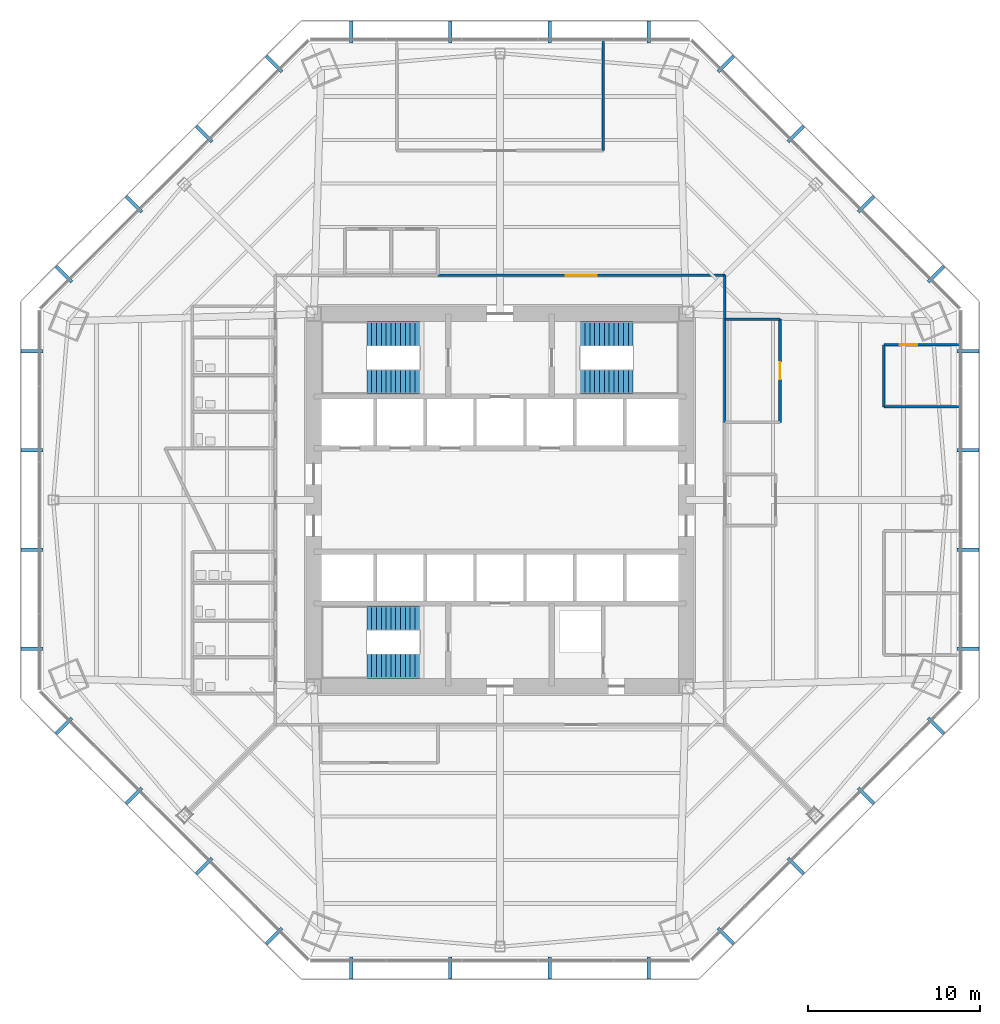
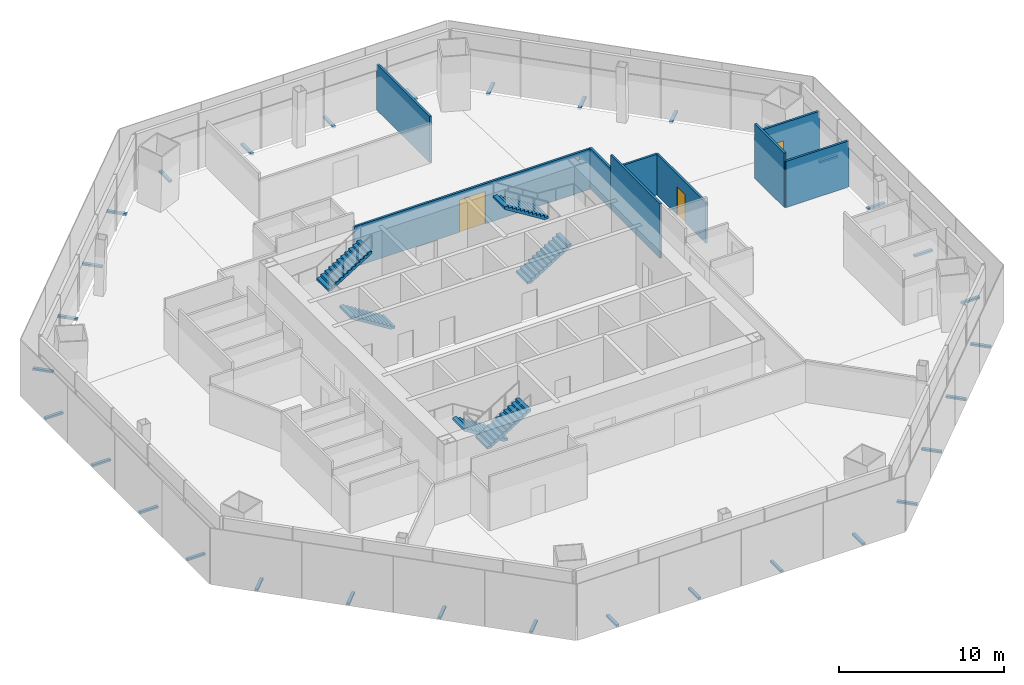
# One storey, part 10 of 13: 32 discrete accessories, 9 walls, 6 stair flights, 3 doors, 3 openings, 3 elements without a shape of their own.
"""IFC4 building model written with IfcOpenShell, lengths in metres."""

import ifcopenshell
import ifcopenshell.guid

model = None  # the IFC model being written
_history = None  # IfcOwnerHistory: only IFC2X3 demands one
_inside = {}  # id of a spatial element -> (the spatial element, [elements in it])
_under = {}  # id of a project, library or spatial element -> (it, [spatial elements below it])
_declared = {}  # id of a project -> (the project, [libraries it declares])
_typed = {}  # id of a type object -> (the type object, [elements of that type])
_made_of = {}  # id of a material, layer set ... -> (it, [elements and type objects made of it])


def new_model(schema):
    """Start an empty IFC model of exactly this schema.

    Asked for "IFC4X3", IfcOpenShell would pick the latest addendum, in which some entities
    have other attributes; the version numbers below select the first issue.
    IFC2X3 requires an IfcOwnerHistory on every rooted entity: one is made here for all.
    """
    global model, _history
    if schema == "IFC4X3":
        model = ifcopenshell.file(schema_version=(4, 3, 0, 0))
    else:
        model = ifcopenshell.file(schema=schema)
    _inside.clear()
    _under.clear()
    _declared.clear()
    _typed.clear()
    _made_of.clear()
    _history = None
    if model.schema == "IFC2X3":
        org = make("IfcOrganization", Name="unknown")
        user = make(
            "IfcPersonAndOrganization",
            ThePerson=make("IfcPerson", FamilyName="unknown"),
            TheOrganization=org,
        )
        app = make(
            "IfcApplication",
            ApplicationDeveloper=org,
            Version="unknown",
            ApplicationFullName="unknown",
            ApplicationIdentifier="unknown",
        )
        _history = make(
            "IfcOwnerHistory",
            OwningUser=user,
            OwningApplication=app,
            ChangeAction="ADDED",
            CreationDate=0,
        )
    return model


def make(cls, **values):
    """One entity of the class cls with the attributes given. An attribute that is None is left unset."""
    return model.create_entity(
        cls, **{name: value for name, value in values.items() if value is not None}
    )


def rooted(cls, **values):
    """An entity with a GlobalId (a new one), such as an element, a storey or a relation."""
    return make(cls, GlobalId=ifcopenshell.guid.new(), OwnerHistory=_history, **values)


def si_unit(unit_type, name, prefix=None):
    """IfcSIUnit, for example si_unit("LENGTHUNIT", "METRE", prefix="MILLI")."""
    return make("IfcSIUnit", UnitType=unit_type, Prefix=prefix, Name=name)


def assignment(units):
    """IfcUnitAssignment: the units of a project."""
    return None if units is None else make("IfcUnitAssignment", Units=units)


def point(xyz):
    """IfcCartesianPoint."""
    return None if xyz is None else make("IfcCartesianPoint", Coordinates=xyz)


def direction(xyz):
    """IfcDirection."""
    return None if xyz is None else make("IfcDirection", DirectionRatios=xyz)


def frame(location, z_axis=None, x_axis=None):
    """IfcAxis2Placement3D, a coordinate frame: its origin and axes. An axis left out is left unset."""
    return make(
        "IfcAxis2Placement3D",
        Location=point(location),
        Axis=direction(z_axis),
        RefDirection=direction(x_axis),
    )


def frame_2d(location, x_axis=None):
    """IfcAxis2Placement2D, a coordinate frame in the plane: its origin and x axis."""
    return make(
        "IfcAxis2Placement2D", Location=point(location), RefDirection=direction(x_axis)
    )


def origin():
    """The frame at (0, 0, 0) with its axes left unset."""
    return frame((0.0, 0.0, 0.0))


def origin_2d():
    """The frame at (0, 0) in the plane with its x axis left unset."""
    return frame_2d((0.0, 0.0))


def place(relative_to, where):
    """IfcLocalPlacement: puts the frame where relative to a parent placement (None: the world)."""
    return make(
        "IfcLocalPlacement", PlacementRelTo=relative_to, RelativePlacement=where
    )


def context(
    kind, dimensions, precision=None, world=None, true_north=None, identifier=None
):
    """IfcGeometricRepresentationContext, for example the 3D "Model" context."""
    return make(
        "IfcGeometricRepresentationContext",
        ContextIdentifier=identifier,
        ContextType=kind,
        CoordinateSpaceDimension=dimensions,
        Precision=precision,
        WorldCoordinateSystem=world,
        TrueNorth=true_north,
    )


def subcontext(parent, identifier, kind, view, scale=None):
    """IfcGeometricRepresentationSubContext, for example "Body" below "Model"."""
    return make(
        "IfcGeometricRepresentationSubContext",
        ContextIdentifier=identifier,
        ContextType=kind,
        ParentContext=parent,
        TargetScale=scale,
        TargetView=view,
    )


def project(units=None, contexts=None):
    """IfcProject with its units and contexts."""
    return rooted(
        "IfcProject",
        Name="project",
        RepresentationContexts=contexts,
        UnitsInContext=assignment(units),
    )


def spatial(cls, under=None, at=None, **own):
    """A site, building, storey or space (cls), placed at a placement, below another one or the project."""
    s = rooted(cls, ObjectPlacement=at, **own)
    if under is not None:
        _under.setdefault(under.id(), (under, []))[1].append(s)
    return s


def polyline(points):
    """IfcPolyline through the points."""
    return make("IfcPolyline", Points=[point(p) for p in points])


def profile(cls, at=None, kind="AREA", **sizes):
    """A parametric profile (cls). Its sizes go by their IFC names, for example OverallWidth=200.0."""
    return make(cls, ProfileType=kind, Position=at, **sizes)


def rectangle(**sizes):
    """IfcRectangleProfileDef."""
    return profile("IfcRectangleProfileDef", **sizes)


def outline(outer, holes=None, kind="AREA"):
    """IfcArbitraryClosedProfileDef: a profile drawn as a closed curve; with holes, ...WithVoids."""
    if holes is None:
        return make("IfcArbitraryClosedProfileDef", ProfileType=kind, OuterCurve=outer)
    return make(
        "IfcArbitraryProfileDefWithVoids",
        ProfileType=kind,
        OuterCurve=outer,
        InnerCurves=holes,
    )


def extrude(swept, where, along, depth):
    """IfcExtrudedAreaSolid: the profile swept, set in the frame where, extruded along a direction by depth."""
    return make(
        "IfcExtrudedAreaSolid",
        SweptArea=swept,
        Position=where,
        ExtrudedDirection=direction(along),
        Depth=depth,
    )


def shape(context_of_items, identifier, shape_type, items):
    """IfcShapeRepresentation: the items that make up one representation, for example the "Body"."""
    return make(
        "IfcShapeRepresentation",
        ContextOfItems=context_of_items,
        RepresentationIdentifier=identifier,
        RepresentationType=shape_type,
        Items=items,
    )


def source(mapping_origin, context_of_items, identifier, shape_type, items):
    """IfcRepresentationMap: a shape defined once, which mapped items show again and again."""
    return make(
        "IfcRepresentationMap",
        MappingOrigin=mapping_origin,
        MappedRepresentation=shape(context_of_items, identifier, shape_type, items),
    )


def transform(
    local_origin,
    x_axis=None,
    y_axis=None,
    z_axis=None,
    scale=None,
    scale2=None,
    scale3=None,
    uniform=True,
):
    """IfcCartesianTransformationOperator3D, or its non-uniform kind. x_axis, y_axis, z_axis: its Axis1, 2, 3."""
    if uniform:
        return make(
            "IfcCartesianTransformationOperator3D",
            Axis1=direction(x_axis),
            Axis2=direction(y_axis),
            LocalOrigin=point(local_origin),
            Scale=scale,
            Axis3=direction(z_axis),
        )
    return make(
        "IfcCartesianTransformationOperator3DnonUniform",
        Axis1=direction(x_axis),
        Axis2=direction(y_axis),
        LocalOrigin=point(local_origin),
        Scale=scale,
        Axis3=direction(z_axis),
        Scale2=scale2,
        Scale3=scale3,
    )


def mapped(mapping_source, mapping_target):
    """IfcMappedItem: shows the shape of a source again, moved by a transform."""
    return make(
        "IfcMappedItem", MappingSource=mapping_source, MappingTarget=mapping_target
    )


def material(Name=None, Category=None):
    """IfcMaterial."""
    return make("IfcMaterial", Name=Name, Category=Category)


def layer(
    of_material, thickness, ventilated=None, Name=None, Category=None, Priority=None
):
    """IfcMaterialLayer: one layer of a wall or slab, of a material (None: an air gap)."""
    return make(
        "IfcMaterialLayer",
        Material=of_material,
        LayerThickness=thickness,
        IsVentilated=ventilated,
        Name=Name,
        Category=Category,
        Priority=Priority,
    )


def layer_set(layers, Name=None):
    """IfcMaterialLayerSet."""
    return make("IfcMaterialLayerSet", MaterialLayers=layers, LayerSetName=Name)


def made_of(thing, what):
    """Note that an element or type object is made of a material, layer set ...; save() writes the relation."""
    if what is not None:
        _made_of.setdefault(what.id(), (what, []))[1].append(thing)
    return thing


def type_object(cls, material=None, **own):
    """A type object (cls), such as IfcWallType, which elements share."""
    return made_of(rooted(cls, **own), material)


def type_shapes(of_type, sources):
    """Give a type object the sources (RepresentationMaps) that its elements show as mapped items."""
    of_type.RepresentationMaps = sources


def element(
    cls,
    number,
    at=None,
    inside=None,
    cuts=None,
    type_object=None,
    material=None,
    context=None,
    identifier="Body",
    shape_type=None,
    held_by="IfcProductDefinitionShape",
    body=None,
    shapes=None,
    **own,
):
    """One element of the class cls, such as IfcWall. Its Tag is "e" and its number.

    at: its placement. inside: the storey or other place that contains it. cuts: it is an
    opening in that element (IfcRelVoidsElement). A single representation is given by context,
    identifier, shape_type and body (its items); several are given by shapes. held_by: the class
    of the entity that holds the representations. save() writes the other relations.
    """
    e = rooted(cls, Tag="e%d" % number, ObjectPlacement=at, **own)
    if body is not None:
        shapes = [shape(context, identifier, shape_type, body)]
    if shapes is not None:
        e.Representation = make(held_by, Representations=shapes)
    if inside is not None:
        _inside.setdefault(inside.id(), (inside, []))[1].append(e)
    if cuts is not None:
        rooted(
            "IfcRelVoidsElement", RelatingBuildingElement=cuts, RelatedOpeningElement=e
        )
    if type_object is not None:
        _typed.setdefault(type_object.id(), (type_object, []))[1].append(e)
    return made_of(e, material)


def fill(opening, filler):
    """IfcRelFillsElement: the door or window that sits in an opening."""
    return rooted(
        "IfcRelFillsElement",
        RelatingOpeningElement=opening,
        RelatedBuildingElement=filler,
    )


def aggregate(whole, parts):
    """IfcRelAggregates: a whole, such as a stair, and the parts it consists of."""
    return rooted("IfcRelAggregates", RelatingObject=whole, RelatedObjects=parts)


def save(model, path):
    """Write the relations noted so far, then the file.

    IfcRelAggregates (storeys below a building ...), IfcRelContainedInSpatialStructure (elements
    in a storey), IfcRelDefinesByType, IfcRelAssociatesMaterial and IfcRelDeclares: one each for
    every whole, place, type object, material and project.
    """
    for whole, parts in _under.values():
        aggregate(whole, parts)
    for where, things in _inside.values():
        rooted(
            "IfcRelContainedInSpatialStructure",
            RelatedElements=things,
            RelatingStructure=where,
        )
    for kind, things in _typed.values():
        rooted("IfcRelDefinesByType", RelatedObjects=things, RelatingType=kind)
    for what, things in _made_of.values():
        rooted("IfcRelAssociatesMaterial", RelatedObjects=things, RelatingMaterial=what)
    for by, libraries in _declared.values():
        rooted("IfcRelDeclares", RelatingContext=by, RelatedDefinitions=libraries)
    model.write(path)


model = new_model("IFC4")

# Units and contexts
model_context = context("Model", 3, precision=1e-05, world=origin(), true_north=direction((0.0, 1.0)))
body_context = subcontext(model_context, "Body", "Model", "MODEL_VIEW")
ifc_project = project(units=[si_unit("LENGTHUNIT", "METRE"), si_unit("AREAUNIT", "SQUARE_METRE"), si_unit("VOLUMEUNIT", "CUBIC_METRE"), si_unit("PLANEANGLEUNIT", "RADIAN"), si_unit("MASSUNIT", "GRAM", prefix="KILO")], contexts=[model_context])

# Site, building, storey
site_placement = place(None, origin())
site = spatial("IfcSite", under=ifc_project, at=site_placement, CompositionType="ELEMENT")
building_placement = place(site_placement, origin())
building = spatial("IfcBuilding", under=site, at=building_placement, Name="Mashrafa Tower", CompositionType="ELEMENT")
storey_placement = place(building_placement, frame((0.0, 0.0, 45.60009765625)))
storey = spatial("IfcBuildingStorey", under=building, at=storey_placement, Name="L09", CompositionType="ELEMENT", Elevation=45.60009765625)

# Walls
ifc_material_1 = material(Name="Gypsum board on steel studs", Category="steel")
ifc_layer_1 = layer(ifc_material_1, 0.14990234375)
ifc_layer_set_1 = layer_set([ifc_layer_1], Name="Corridor partition 150 1 hr")
wall_type_1 = type_object("IfcWallType", Name="Corridor partition 150 1 hr", PredefinedType="PARTITIONING", material=ifc_layer_set_1)
wall_1_placement = place(storey_placement, frame((13.050048828125, 4.4990234375, 0.0), z_axis=(0.0, 0.0, 1.0), x_axis=(0.0, 1.0, 0.0)))
element("IfcWall", 1, at=wall_1_placement, inside=storey, type_object=wall_type_1, Name="Corridor wall L09-011", PredefinedType="PARTITIONING", context=body_context, shape_type="SweptSolid", body=[
    extrude(rectangle(XDim=6.001953125, YDim=0.14990234375, at=frame_2d((3.0009765625, 0.0))), origin(), (0.0, 0.0, 1.0), 4.034912109375),
])
wall_2_placement = place(storey_placement, frame((13.050048828125, 10.4990234375, 0.0), z_axis=(0.0, 0.0, 1.0), x_axis=(0.0, 1.0, 0.0)))
element("IfcWall", 2, at=wall_2_placement, inside=storey, type_object=wall_type_1, Name="Corridor wall L09-018", PredefinedType="PARTITIONING", context=body_context, shape_type="SweptSolid", body=[
    extrude(rectangle(XDim=2.551025390625, YDim=0.14990234375, at=frame_2d((1.275390625, 0.0))), origin(), (0.0, 0.0, 1.0), 3.013916015625),
])

# Wall, opening, door
wall_3_placement = place(storey_placement, frame((13.050048828125, 13.050048828125, 0.0), z_axis=(0.0, 0.0, 1.0), x_axis=(-1.0, 0.0, 0.0)))
wall_3 = element("IfcWall", 3, at=wall_3_placement, inside=storey, type_object=wall_type_1, Name="Corridor wall L09-019", PredefinedType="PARTITIONING", context=body_context, shape_type="SweptSolid", body=[
    extrude(rectangle(XDim=16.651123046875, YDim=0.14990234375, at=frame_2d((8.32568359375, 0.0))), origin(), (0.0, 0.0, 1.0), 2.9833984375),
])
opening_1_placement = place(wall_3_placement, frame((7.425537109375, 0.0, 0.0)))
opening_1 = element("IfcOpeningElement", 4, at=opening_1_placement, cuts=wall_3, Name="Opening 09.020", PredefinedType="OPENING", context=body_context, shape_type="SweptSolid", body=[
    extrude(rectangle(XDim=1.800048828125, YDim=2.39990234375, at=frame_2d((0.89990234375, 1.199951171875))), frame((0.0, 0.0849609375, 0.0), z_axis=(0.0, -1.0, 0.0), x_axis=(1.0, 0.0, 0.0)), (0.0, 0.0, 1.0), 0.169921875),
])
ifc_material_2 = material(Name="Timber door", Category="wood")
door_type_1 = type_object("IfcDoorType", Name="Door pair 1800 x 2400", OperationType="DOUBLE_DOOR_SINGLE_SWING", PredefinedType="DOOR", material=ifc_material_2)
door_1_placement = place(opening_1_placement, origin())
door_1 = element("IfcDoor", 5, at=door_1_placement, inside=storey, type_object=door_type_1, Name="Trading Floor 09 door", OperationType="DOUBLE_DOOR_SINGLE_SWING", OverallHeight=2.39990234375, OverallWidth=1.800048828125, PredefinedType="DOOR", context=body_context, shape_type="SweptSolid", body=[
    extrude(rectangle(XDim=1.800048828125, YDim=2.39990234375, at=frame_2d((0.89990234375, 1.199951171875))), frame((0.0, 0.02490234375, 0.0), z_axis=(0.0, -1.0, 0.0), x_axis=(1.0, 0.0, 0.0)), (0.0, 0.0, 1.0), 0.050048828125),
])
fill(opening_1, door_1)

ifc_material_3 = material(Name="Gypsum board on steel studs", Category="steel")
ifc_layer_2 = layer(ifc_material_3, 0.14990234375)
ifc_layer_set_2 = layer_set([ifc_layer_2], Name="Partition 150")
wall_type_2 = type_object("IfcWallType", Name="Partition 150", PredefinedType="PARTITIONING", material=ifc_layer_set_2)
wall_4_placement = place(storey_placement, frame((26.708740234375, 9.0, 0.0), z_axis=(0.0, 0.0, 1.0), x_axis=(-1.0, 0.0, 0.0)))
wall_4 = element("IfcWall", 6, at=wall_4_placement, inside=storey, type_object=wall_type_2, Name="Partition wall L09-050", PredefinedType="PARTITIONING", context=body_context, shape_type="SweptSolid", body=[
    extrude(rectangle(XDim=4.433837890625, YDim=0.14990234375, at=frame_2d((2.216796875, 0.0))), origin(), (0.0, 0.0, 1.0), 3.4228515625),
])
opening_2_placement = place(wall_4_placement, frame((2.4990234375, 0.0, 0.0)))
opening_2 = element("IfcOpeningElement", 7, at=opening_2_placement, cuts=wall_4, Name="Opening 09.012", PredefinedType="OPENING", context=body_context, shape_type="SweptSolid", body=[
    extrude(rectangle(XDim=1.0, YDim=2.10009765625, at=frame_2d((0.5, 1.050048828125))), frame((0.0, 0.0849609375, 0.0), z_axis=(0.0, -1.0, 0.0), x_axis=(1.0, 0.0, 0.0)), (0.0, 0.0, 1.0), 0.169921875),
])
ifc_material_4 = material(Name="Timber door", Category="wood")
door_type_2 = type_object("IfcDoorType", Name="Door 1000 x 2100", OperationType="USERDEFINED", PredefinedType="DOOR", material=ifc_material_4)
door_2_placement = place(opening_2_placement, origin())
door_2 = element("IfcDoor", 8, at=door_2_placement, inside=storey, type_object=door_type_2, Name="Meeting Room 09-3 door", OperationType="SINGLE_SWING_RIGHT", OverallHeight=2.10009765625, OverallWidth=1.0, PredefinedType="DOOR", context=body_context, shape_type="SweptSolid", body=[
    extrude(rectangle(XDim=1.0, YDim=2.10009765625, at=frame_2d((0.5, 1.050048828125))), frame((0.0, 0.02490234375, 0.0), z_axis=(0.0, -1.0, 0.0), x_axis=(1.0, 0.0, 0.0)), (0.0, 0.0, 1.0), 0.050048828125),
])
fill(opening_2, door_2)

# Walls
wall_5_placement = place(storey_placement, frame((22.27490234375, 9.0, 0.0), z_axis=(0.0, 0.0, 1.0), x_axis=(0.0, -1.0, 0.0)))
element("IfcWall", 9, at=wall_5_placement, inside=storey, type_object=wall_type_2, Name="Partition wall L09-051", PredefinedType="PARTITIONING", context=body_context, shape_type="SweptSolid", body=[
    extrude(rectangle(XDim=3.60009765625, YDim=0.14990234375, at=frame_2d((1.800048828125, 0.0))), origin(), (0.0, 0.0, 1.0), 4.034912109375),
])
wall_6_placement = place(storey_placement, frame((22.27490234375, 5.39990234375, 0.0), z_axis=(0.0, 0.0, 1.0), x_axis=(1.0, 0.0, 0.0)))
element("IfcWall", 10, at=wall_6_placement, inside=storey, type_object=wall_type_2, Name="Partition wall L09-052", PredefinedType="PARTITIONING", context=body_context, shape_type="SweptSolid", body=[
    extrude(rectangle(XDim=4.431884765625, YDim=0.14990234375, at=frame_2d((2.2158203125, 0.0))), origin(), (0.0, 0.0, 1.0), 3.4228515625),
])
wall_7_placement = place(storey_placement, frame((6.0, 20.27490234375, 0.0), z_axis=(0.0, 0.0, 1.0), x_axis=(0.0, 1.0, 0.0)))
element("IfcWall", 11, at=wall_7_placement, inside=storey, type_object=wall_type_2, Name="Partition wall L09-055", PredefinedType="PARTITIONING", context=body_context, shape_type="SweptSolid", body=[
    extrude(rectangle(XDim=6.431884765625, YDim=0.14990234375, at=frame_2d((3.2158203125, 0.0))), origin(), (0.0, 0.0, 1.0), 3.4228515625),
])

# Wall, opening, door
wall_8_placement = place(storey_placement, frame((16.25, 4.5, 0.0), z_axis=(0.0, 0.0, 1.0), x_axis=(0.0, 1.0, 0.0)))
wall_8 = element("IfcWall", 12, at=wall_8_placement, inside=storey, type_object=wall_type_2, Name="Partition wall L09-060", PredefinedType="PARTITIONING", context=body_context, shape_type="SweptSolid", body=[
    extrude(rectangle(XDim=6.0, YDim=0.14990234375, at=frame_2d((3.0, 0.0))), origin(), (0.0, 0.0, 1.0), 3.013916015625),
])
opening_3_placement = place(wall_8_placement, frame((2.5, 0.0, 0.0)))
opening_3 = element("IfcOpeningElement", 13, at=opening_3_placement, cuts=wall_8, Name="Opening 09.015", PredefinedType="OPENING", context=body_context, shape_type="SweptSolid", body=[
    extrude(rectangle(XDim=1.0, YDim=2.10009765625, at=frame_2d((0.5, 1.050048828125))), frame((0.0, 0.0849609375, 0.0), z_axis=(0.0, -1.0, 0.0), x_axis=(1.0, 0.0, 0.0)), (0.0, 0.0, 1.0), 0.169921875),
])
door_3_placement = place(opening_3_placement, origin())
door_3 = element("IfcDoor", 14, at=door_3_placement, inside=storey, type_object=door_type_2, Name="Staff Pantry 09 door", OperationType="SINGLE_SWING_LEFT", OverallHeight=2.10009765625, OverallWidth=1.0, PredefinedType="DOOR", context=body_context, shape_type="SweptSolid", body=[
    extrude(rectangle(XDim=1.0, YDim=2.10009765625, at=frame_2d((0.5, 1.050048828125))), frame((0.0, 0.02490234375, 0.0), z_axis=(0.0, -1.0, 0.0), x_axis=(1.0, 0.0, 0.0)), (0.0, 0.0, 1.0), 0.050048828125),
])
fill(opening_3, door_3)

# Wall
wall_9_placement = place(storey_placement, frame((16.25, 10.5, 0.0), z_axis=(0.0, 0.0, 1.0), x_axis=(-1.0, 0.0, 0.0)))
element("IfcWall", 15, at=wall_9_placement, inside=storey, type_object=wall_type_2, Name="Partition wall L09-061", PredefinedType="PARTITIONING", context=body_context, shape_type="SweptSolid", body=[
    extrude(rectangle(XDim=3.199951171875, YDim=0.14990234375, at=frame_2d((1.60009765625, 0.0))), origin(), (0.0, 0.0, 1.0), 3.013916015625),
])

# Stair, stair flights
ifc_material_5 = material(Name="Exit stair 1400")
stair_type = type_object("IfcStairType", Name="Exit stair 1400", PredefinedType="HALF_TURN_STAIR", material=ifc_material_5)
stair_1_placement = place(storey_placement, origin())
stair_1 = element("IfcStair", 16, at=stair_1_placement, inside=storey, type_object=stair_type, Name="Stair S1 L09", PredefinedType="HALF_TURN_STAIR")
ifc_material_6 = material(Name="Concrete C32/40", Category="concrete")
stair_flight_type = type_object("IfcStairFlightType", Name="Stair flight 1400", PredefinedType="STRAIGHT", material=ifc_material_6)
stair_flight_1_placement = place(storey_placement, frame((-4.64990234375, 6.85009765625, 0.0), z_axis=(0.0, 0.0, 1.0), x_axis=(-1.0, 0.0, 0.0)))
stair_flight_1 = element("IfcStairFlight", 17, at=stair_flight_1_placement, type_object=stair_flight_type, Name="S1 flight 1", NumberOfRisers=12, NumberOfTreads=11, PredefinedType="STRAIGHT", RiserHeight=0.175, TreadLength=0.28, context=body_context, shape_type="SweptSolid", body=[
    extrude(outline(polyline([(0.0, 0.0), (0.0, 0.175048828125), (0.280029296875, 0.175048828125), (0.280029296875, 0.35009765625), (0.56005859375, 0.35009765625), (0.56005859375, 0.52490234375), (0.840087890625, 0.52490234375), (0.840087890625, 0.699951171875), (1.1201171875, 0.699951171875), (1.1201171875, 0.875), (1.39990234375, 0.875), (1.39990234375, 1.050048828125), (1.679931640625, 1.050048828125), (1.679931640625, 1.22509765625), (1.9599609375, 1.22509765625), (1.9599609375, 1.39990234375), (2.239990234375, 1.39990234375), (2.239990234375, 1.574951171875), (2.52001953125, 1.574951171875), (2.52001953125, 1.75), (2.800048828125, 1.75), (2.800048828125, 1.925048828125), (3.080078125, 1.925048828125), (3.080078125, 2.10009765625), (3.080078125, 1.748291015625), (0.28271484375, 0.0), (0.0, 0.0)])), frame((0.0, 0.699951171875, 0.0), z_axis=(0.0, -1.0, 0.0), x_axis=(1.0, 0.0, 0.0)), (0.0, 0.0, 1.0), 1.39990234375),
])
stair_flight_2_placement = place(storey_placement, frame((-7.72998046875, 9.64990234375, 2.099853515625), z_axis=(0.0, 0.0, 1.0), x_axis=(1.0, 0.0, 0.0)))
stair_flight_2 = element("IfcStairFlight", 18, at=stair_flight_2_placement, type_object=stair_flight_type, Name="S1 flight 2", NumberOfRisers=12, NumberOfTreads=11, PredefinedType="STRAIGHT", RiserHeight=0.175, TreadLength=0.28, context=body_context, shape_type="SweptSolid", body=[
    extrude(outline(polyline([(0.0, 0.0), (0.0, 0.175048828125), (0.280029296875, 0.175048828125), (0.280029296875, 0.35009765625), (0.56005859375, 0.35009765625), (0.56005859375, 0.52490234375), (0.840087890625, 0.52490234375), (0.840087890625, 0.699951171875), (1.1201171875, 0.699951171875), (1.1201171875, 0.875), (1.39990234375, 0.875), (1.39990234375, 1.050048828125), (1.679931640625, 1.050048828125), (1.679931640625, 1.22509765625), (1.9599609375, 1.22509765625), (1.9599609375, 1.39990234375), (2.239990234375, 1.39990234375), (2.239990234375, 1.574951171875), (2.52001953125, 1.574951171875), (2.52001953125, 1.75), (2.800048828125, 1.75), (2.800048828125, 1.925048828125), (3.080078125, 1.925048828125), (3.080078125, 2.10009765625), (3.080078125, 1.748291015625), (0.28271484375, 0.0), (0.0, 0.0)])), frame((0.0, 0.699951171875, 0.0), z_axis=(0.0, -1.0, 0.0), x_axis=(1.0, 0.0, 0.0)), (0.0, 0.0, 1.0), 1.39990234375),
])
aggregate(stair_1, [stair_flight_1, stair_flight_2])

stair_2_placement = place(storey_placement, origin())
stair_2 = element("IfcStair", 19, at=stair_2_placement, inside=storey, type_object=stair_type, Name="Stair S2 L09", PredefinedType="HALF_TURN_STAIR")
stair_flight_3_placement = place(storey_placement, frame((4.64990234375, 6.85009765625, 0.0), z_axis=(0.0, 0.0, 1.0), x_axis=(1.0, 0.0, 0.0)))
stair_flight_3 = element("IfcStairFlight", 20, at=stair_flight_3_placement, type_object=stair_flight_type, Name="S2 flight 1", NumberOfRisers=12, NumberOfTreads=11, PredefinedType="STRAIGHT", RiserHeight=0.175, TreadLength=0.28, context=body_context, shape_type="SweptSolid", body=[
    extrude(outline(polyline([(0.0, 0.0), (0.0, 0.175048828125), (0.280029296875, 0.175048828125), (0.280029296875, 0.35009765625), (0.56005859375, 0.35009765625), (0.56005859375, 0.52490234375), (0.840087890625, 0.52490234375), (0.840087890625, 0.699951171875), (1.1201171875, 0.699951171875), (1.1201171875, 0.875), (1.39990234375, 0.875), (1.39990234375, 1.050048828125), (1.679931640625, 1.050048828125), (1.679931640625, 1.22509765625), (1.9599609375, 1.22509765625), (1.9599609375, 1.39990234375), (2.239990234375, 1.39990234375), (2.239990234375, 1.574951171875), (2.52001953125, 1.574951171875), (2.52001953125, 1.75), (2.800048828125, 1.75), (2.800048828125, 1.925048828125), (3.080078125, 1.925048828125), (3.080078125, 2.10009765625), (3.080078125, 1.748291015625), (0.28271484375, 0.0), (0.0, 0.0)])), frame((0.0, 0.699951171875, 0.0), z_axis=(0.0, -1.0, 0.0), x_axis=(1.0, 0.0, 0.0)), (0.0, 0.0, 1.0), 1.39990234375),
])
stair_flight_4_placement = place(storey_placement, frame((7.72998046875, 9.64990234375, 2.099853515625), z_axis=(0.0, 0.0, 1.0), x_axis=(-1.0, 0.0, 0.0)))
stair_flight_4 = element("IfcStairFlight", 21, at=stair_flight_4_placement, type_object=stair_flight_type, Name="S2 flight 2", NumberOfRisers=12, NumberOfTreads=11, PredefinedType="STRAIGHT", RiserHeight=0.175, TreadLength=0.28, context=body_context, shape_type="SweptSolid", body=[
    extrude(outline(polyline([(0.0, 0.0), (0.0, 0.175048828125), (0.280029296875, 0.175048828125), (0.280029296875, 0.35009765625), (0.56005859375, 0.35009765625), (0.56005859375, 0.52490234375), (0.840087890625, 0.52490234375), (0.840087890625, 0.699951171875), (1.1201171875, 0.699951171875), (1.1201171875, 0.875), (1.39990234375, 0.875), (1.39990234375, 1.050048828125), (1.679931640625, 1.050048828125), (1.679931640625, 1.22509765625), (1.9599609375, 1.22509765625), (1.9599609375, 1.39990234375), (2.239990234375, 1.39990234375), (2.239990234375, 1.574951171875), (2.52001953125, 1.574951171875), (2.52001953125, 1.75), (2.800048828125, 1.75), (2.800048828125, 1.925048828125), (3.080078125, 1.925048828125), (3.080078125, 2.10009765625), (3.080078125, 1.748291015625), (0.28271484375, 0.0), (0.0, 0.0)])), frame((0.0, 0.699951171875, 0.0), z_axis=(0.0, -1.0, 0.0), x_axis=(1.0, 0.0, 0.0)), (0.0, 0.0, 1.0), 1.39990234375),
])
aggregate(stair_2, [stair_flight_3, stair_flight_4])

stair_3_placement = place(storey_placement, origin())
stair_3 = element("IfcStair", 22, at=stair_3_placement, inside=storey, type_object=stair_type, Name="Stair S3 L09", PredefinedType="HALF_TURN_STAIR")
stair_flight_5_placement = place(storey_placement, frame((-4.64990234375, -6.85009765625, 0.0), z_axis=(0.0, 0.0, 1.0), x_axis=(-1.0, 0.0, 0.0)))
stair_flight_5 = element("IfcStairFlight", 23, at=stair_flight_5_placement, type_object=stair_flight_type, Name="S3 flight 1", NumberOfRisers=12, NumberOfTreads=11, PredefinedType="STRAIGHT", RiserHeight=0.175, TreadLength=0.28, context=body_context, shape_type="SweptSolid", body=[
    extrude(outline(polyline([(0.0, 0.0), (0.0, 0.175048828125), (0.280029296875, 0.175048828125), (0.280029296875, 0.35009765625), (0.56005859375, 0.35009765625), (0.56005859375, 0.52490234375), (0.840087890625, 0.52490234375), (0.840087890625, 0.699951171875), (1.1201171875, 0.699951171875), (1.1201171875, 0.875), (1.39990234375, 0.875), (1.39990234375, 1.050048828125), (1.679931640625, 1.050048828125), (1.679931640625, 1.22509765625), (1.9599609375, 1.22509765625), (1.9599609375, 1.39990234375), (2.239990234375, 1.39990234375), (2.239990234375, 1.574951171875), (2.52001953125, 1.574951171875), (2.52001953125, 1.75), (2.800048828125, 1.75), (2.800048828125, 1.925048828125), (3.080078125, 1.925048828125), (3.080078125, 2.10009765625), (3.080078125, 1.748291015625), (0.28271484375, 0.0), (0.0, 0.0)])), frame((0.0, 0.699951171875, 0.0), z_axis=(0.0, -1.0, 0.0), x_axis=(1.0, 0.0, 0.0)), (0.0, 0.0, 1.0), 1.39990234375),
])
stair_flight_6_placement = place(storey_placement, frame((-7.72998046875, -9.64990234375, 2.099853515625), z_axis=(0.0, 0.0, 1.0), x_axis=(1.0, 0.0, 0.0)))
stair_flight_6 = element("IfcStairFlight", 24, at=stair_flight_6_placement, type_object=stair_flight_type, Name="S3 flight 2", NumberOfRisers=12, NumberOfTreads=11, PredefinedType="STRAIGHT", RiserHeight=0.175, TreadLength=0.28, context=body_context, shape_type="SweptSolid", body=[
    extrude(outline(polyline([(0.0, 0.0), (0.0, 0.175048828125), (0.280029296875, 0.175048828125), (0.280029296875, 0.35009765625), (0.56005859375, 0.35009765625), (0.56005859375, 0.52490234375), (0.840087890625, 0.52490234375), (0.840087890625, 0.699951171875), (1.1201171875, 0.699951171875), (1.1201171875, 0.875), (1.39990234375, 0.875), (1.39990234375, 1.050048828125), (1.679931640625, 1.050048828125), (1.679931640625, 1.22509765625), (1.9599609375, 1.22509765625), (1.9599609375, 1.39990234375), (2.239990234375, 1.39990234375), (2.239990234375, 1.574951171875), (2.52001953125, 1.574951171875), (2.52001953125, 1.75), (2.800048828125, 1.75), (2.800048828125, 1.925048828125), (3.080078125, 1.925048828125), (3.080078125, 2.10009765625), (3.080078125, 1.748291015625), (0.28271484375, 0.0), (0.0, 0.0)])), frame((0.0, 0.699951171875, 0.0), z_axis=(0.0, -1.0, 0.0), x_axis=(1.0, 0.0, 0.0)), (0.0, 0.0, 1.0), 1.39990234375),
])
aggregate(stair_3, [stair_flight_5, stair_flight_6])

# Discrete accessories
ifc_material_7 = material(Name="Stainless steel screen bracket", Category="steel")
discrete_accessory_type = type_object("IfcDiscreteAccessoryType", Name="Screen support bracket 200 x 150", PredefinedType="BRACKET", material=ifc_material_7)
shared_shape = source(origin(), body_context, "Body", "SweptSolid", [
    extrude(rectangle(XDim=0.199951171875, YDim=1.27001953125, at=origin_2d()), origin(), (0.0, 0.0, 1.0), 0.14990234375),
])
type_shapes(discrete_accessory_type, [shared_shape])
for number, where, z_axis, x_axis, name in (
    (25, (27.15966796875, -8.627197265625, -0.150146484375), (0.0, 0.0, 1.0), (0.0, 1.0, 0.0), "Screen support bracket L09 east 1"),
    (26, (27.15966796875, -2.875732421875, -0.150146484375), (0.0, 0.0, 1.0), (0.0, 1.0, 0.0), "Screen support bracket L09 east 2"),
    (27, (27.15966796875, 2.875732421875, -0.150146484375), (0.0, 0.0, 1.0), (0.0, 1.0, 0.0), "Screen support bracket L09 east 3"),
    (28, (27.15966796875, 8.627197265625, -0.150146484375), (0.0, 0.0, 1.0), (0.0, 1.0, 0.0), "Screen support bracket L09 east 4"),
    (29, (25.30517578125, 13.1044921875, -0.150146484375), (0.0, 0.0, 1.0), (-0.707106781187, 0.707106781187, 0.0), "Screen support bracket L09 north-east 1"),
    (30, (21.23828125, 17.17138671875, -0.150146484375), (0.0, 0.0, 1.0), (-0.707106781187, 0.707106781187, 0.0), "Screen support bracket L09 north-east 2"),
    (31, (17.17138671875, 21.23828125, -0.150146484375), (0.0, 0.0, 1.0), (-0.707106781187, 0.707106781187, 0.0), "Screen support bracket L09 north-east 3"),
    (32, (13.1044921875, 25.30517578125, -0.150146484375), (0.0, 0.0, 1.0), (-0.707106781187, 0.707106781187, 0.0), "Screen support bracket L09 north-east 4"),
    (33, (8.627197265625, 27.15966796875, -0.150146484375), (0.0, 0.0, 1.0), (-1.0, 0.0, 0.0), "Screen support bracket L09 north 1"),
    (34, (2.875732421875, 27.15966796875, -0.150146484375), (0.0, 0.0, 1.0), (-1.0, 0.0, 0.0), "Screen support bracket L09 north 2"),
    (35, (-2.875732421875, 27.15966796875, -0.150146484375), (0.0, 0.0, 1.0), (-1.0, 0.0, 0.0), "Screen support bracket L09 north 3"),
    (36, (-8.627197265625, 27.15966796875, -0.150146484375), (0.0, 0.0, 1.0), (-1.0, 0.0, 0.0), "Screen support bracket L09 north 4"),
    (37, (-13.1044921875, 25.30517578125, -0.150146484375), (0.0, 0.0, 1.0), (-0.707106781187, -0.707106781187, 0.0), "Screen support bracket L09 north-west 1"),
    (38, (-17.17138671875, 21.23828125, -0.150146484375), (0.0, 0.0, 1.0), (-0.707106781187, -0.707106781187, 0.0), "Screen support bracket L09 north-west 2"),
    (39, (-21.23828125, 17.17138671875, -0.150146484375), (0.0, 0.0, 1.0), (-0.707106781187, -0.707106781187, 0.0), "Screen support bracket L09 north-west 3"),
    (40, (-25.30517578125, 13.1044921875, -0.150146484375), (0.0, 0.0, 1.0), (-0.707106781187, -0.707106781187, 0.0), "Screen support bracket L09 north-west 4"),
    (41, (-27.15966796875, 8.627197265625, -0.150146484375), (0.0, 0.0, 1.0), (0.0, -1.0, 0.0), "Screen support bracket L09 west 1"),
    (42, (-27.15966796875, 2.875732421875, -0.150146484375), (0.0, 0.0, 1.0), (0.0, -1.0, 0.0), "Screen support bracket L09 west 2"),
    (43, (-27.15966796875, -2.875732421875, -0.150146484375), (0.0, 0.0, 1.0), (0.0, -1.0, 0.0), "Screen support bracket L09 west 3"),
    (44, (-27.15966796875, -8.627197265625, -0.150146484375), (0.0, 0.0, 1.0), (0.0, -1.0, 0.0), "Screen support bracket L09 west 4"),
    (45, (-25.30517578125, -13.1044921875, -0.150146484375), (0.0, 0.0, 1.0), (0.707106781187, -0.707106781187, 0.0), "Screen support bracket L09 south-west 1"),
    (46, (-21.23828125, -17.17138671875, -0.150146484375), (0.0, 0.0, 1.0), (0.707106781187, -0.707106781187, 0.0), "Screen support bracket L09 south-west 2"),
    (47, (-17.17138671875, -21.23828125, -0.150146484375), (0.0, 0.0, 1.0), (0.707106781187, -0.707106781187, 0.0), "Screen support bracket L09 south-west 3"),
    (48, (-13.1044921875, -25.30517578125, -0.150146484375), (0.0, 0.0, 1.0), (0.707106781187, -0.707106781187, 0.0), "Screen support bracket L09 south-west 4"),
    (49, (-8.627197265625, -27.15966796875, -0.150146484375), (0.0, 0.0, 1.0), (1.0, 0.0, 0.0), "Screen support bracket L09 south 1"),
    (50, (-2.875732421875, -27.15966796875, -0.150146484375), (0.0, 0.0, 1.0), (1.0, 0.0, 0.0), "Screen support bracket L09 south 2"),
    (51, (2.875732421875, -27.15966796875, -0.150146484375), (0.0, 0.0, 1.0), (1.0, 0.0, 0.0), "Screen support bracket L09 south 3"),
    (52, (8.627197265625, -27.15966796875, -0.150146484375), (0.0, 0.0, 1.0), (1.0, 0.0, 0.0), "Screen support bracket L09 south 4"),
    (53, (13.1044921875, -25.30517578125, -0.150146484375), (0.0, 0.0, 1.0), (0.707106781187, 0.707106781187, 0.0), "Screen support bracket L09 south-east 1"),
    (54, (17.17138671875, -21.23828125, -0.150146484375), (0.0, 0.0, 1.0), (0.707106781187, 0.707106781187, 0.0), "Screen support bracket L09 south-east 2"),
    (55, (21.23828125, -17.17138671875, -0.150146484375), (0.0, 0.0, 1.0), (0.707106781187, 0.707106781187, 0.0), "Screen support bracket L09 south-east 3"),
    (56, (25.30517578125, -13.1044921875, -0.150146484375), (0.0, 0.0, 1.0), (0.707106781187, 0.707106781187, 0.0), "Screen support bracket L09 south-east 4"),
):
    element("IfcDiscreteAccessory", number, at=place(storey_placement, frame(where, z_axis=z_axis, x_axis=x_axis)), inside=storey, type_object=discrete_accessory_type, Name=name, PredefinedType="BRACKET", context=body_context, shape_type="MappedRepresentation", body=[
        mapped(shared_shape, transform((0.0, 0.0, 0.0))),
    ])

save(model, "model.ifc")
